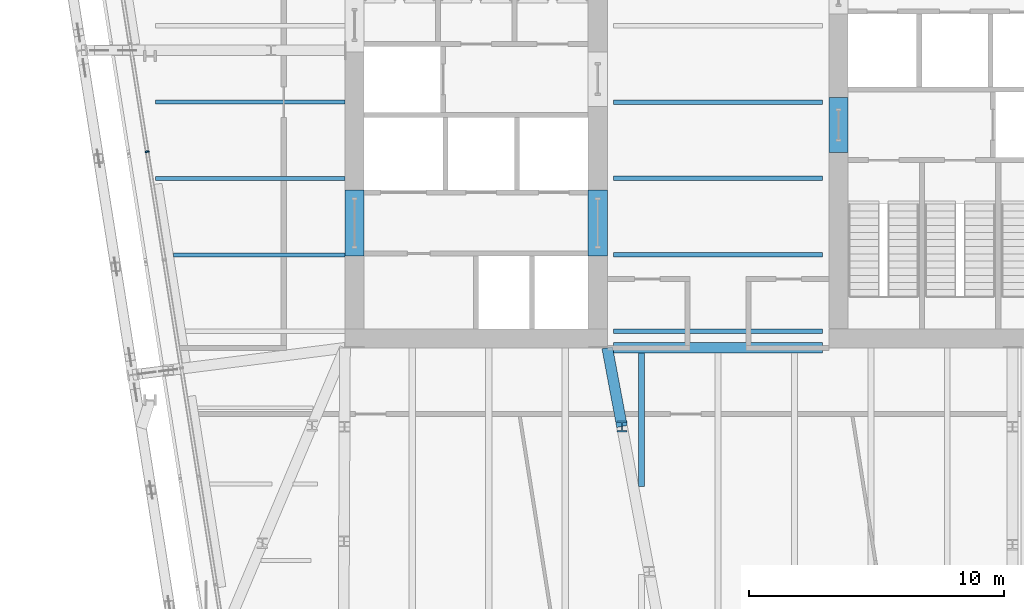
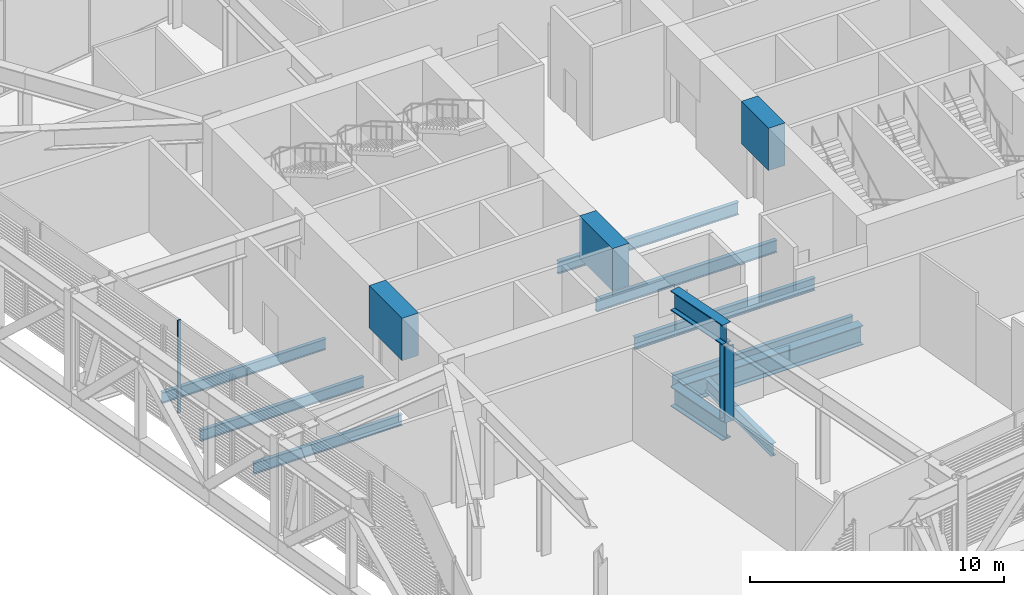
# One storey, part 6 of 32: 14 beams, 2 members, 1 element without a shape of its own.
"""IFC4 building model written with IfcOpenShell, lengths in metres."""

from ifc_helpers import new_model, si_unit, direction, frame, origin, origin_2d, place, context, subcontext, project, spatial, rectangle, i_section, extrude, material, layer, layer_set, material_profile, profile_set, type_object, element, aggregate, save


model = new_model("IFC4")

# Units and contexts
model_context = context("Model", 3, precision=1e-05, world=origin(), true_north=direction((0.0, 1.0)))
body_context = subcontext(model_context, "Body", "Model", "MODEL_VIEW")
ifc_project = project(units=[si_unit("LENGTHUNIT", "METRE"), si_unit("AREAUNIT", "SQUARE_METRE"), si_unit("VOLUMEUNIT", "CUBIC_METRE"), si_unit("PLANEANGLEUNIT", "RADIAN"), si_unit("MASSUNIT", "GRAM", prefix="KILO")], contexts=[model_context])

# Site, building, storey
site_placement = place(None, origin())
site = spatial("IfcSite", under=ifc_project, at=site_placement, CompositionType="ELEMENT")
building_placement = place(site_placement, origin())
building = spatial("IfcBuilding", under=site, at=building_placement, Name="Millrace Tower", CompositionType="ELEMENT")
storey_placement = place(building_placement, frame((0.0, 0.0, 124.89990234375)))
storey = spatial("IfcBuildingStorey", under=building, at=storey_placement, Name="L27", CompositionType="ELEMENT", Elevation=124.89990234375)

# Curtain wall, member
ifc_material_1 = material(Name="Aluminium and glass", Category="aluminium")
ifc_layer = layer(ifc_material_1, 0.14990234375)
ifc_layer_set = layer_set([ifc_layer], Name="Aluminium and glass")
curtain_wall_type = type_object("IfcCurtainWallType", Name="CW-5 truss and plant storey louvred infill", PredefinedType="NOTDEFINED", material=ifc_layer_set)
curtain_wall_placement = place(storey_placement, origin())
curtain_wall = element("IfcCurtainWall", 1, at=curtain_wall_placement, inside=storey, type_object=curtain_wall_type, Name="Curtain wall C-F08 L27", PredefinedType="NOTDEFINED")
ifc_material_2 = material(Name="Aluminium", Category="aluminium")
ifc_material_profile_1 = material_profile(ifc_material_2, rectangle(XDim=0.06494140625, YDim=0.14990234375, at=origin_2d()))
ifc_profile_set_1 = profile_set([ifc_material_profile_1], Name="Aluminium")
member_type_1 = type_object("IfcMemberType", Name="CW-5 truss and plant storey louvred infill mullion", PredefinedType="MULLION", material=ifc_profile_set_1)
member_1_placement = place(storey_placement, frame((-22.416015625, -1.946533203125, 0.14013671875), z_axis=(0.0, 0.0, 1.0), x_axis=(0.15643447328, -0.98768833929, 0.0)))
member_1 = element("IfcMember", 2, at=member_1_placement, type_object=member_type_1, Name="CW5 mullion C-F08.5", PredefinedType="MULLION", context=body_context, shape_type="SweptSolid", body=[
    extrude(rectangle(XDim=0.06494140625, YDim=0.14990234375, at=origin_2d()), origin(), (0.0, 0.0, 1.0), 4.4599609375),
])
aggregate(curtain_wall, [member_1])

# Beams
ifc_material_3 = material(Name="Concrete C70", Category="concrete")
ifc_material_profile_2 = material_profile(ifc_material_3, rectangle(XDim=0.75, YDim=2.0400390625, at=origin_2d()))
ifc_profile_set_2 = profile_set([ifc_material_profile_2], Name="Concrete C70")
beam_type_1 = type_object("IfcBeamType", Name="Coupling beam 750 x 2040 Concrete C70, 1300 opening", PredefinedType="BEAM", material=ifc_profile_set_2)
beam_1_placement = place(storey_placement, frame((4.72509765625, 0.1708984375, 3.420166015625), z_axis=(0.0, -1.0, 0.0), x_axis=(1.0, 0.0, 0.0)))
element("IfcBeam", 3, at=beam_1_placement, inside=storey, type_object=beam_type_1, Name="Coupling beam E L27", PredefinedType="BEAM", context=body_context, shape_type="SweptSolid", body=[
    extrude(rectangle(XDim=0.75, YDim=2.0400390625, at=origin_2d()), origin(), (0.0, 0.0, 1.0), 2.141845703125),
])
ifc_material_4 = material(Name="Concrete C70", Category="concrete")
ifc_material_profile_3 = material_profile(ifc_material_4, rectangle(XDim=0.75, YDim=2.0400390625, at=origin_2d()))
ifc_profile_set_3 = profile_set([ifc_material_profile_3], Name="Concrete C70")
beam_type_2 = type_object("IfcBeamType", Name="Coupling beam 750 x 2040 Concrete C70, 2000 opening", PredefinedType="BEAM", material=ifc_profile_set_3)
for number, where, z_axis, x_axis, name in (
    (4, (-14.27490234375, -6.050048828125, 3.420166015625), (0.0, 1.0, 0.0), (-1.0, 0.0, 0.0), "Coupling beam W L27"),
    (5, (-4.72509765625, -6.050048828125, 3.420166015625), (0.0, 1.0, 0.0), (-1.0, 0.0, 0.0), "Coupling beam W L27"),
):
    element("IfcBeam", number, at=place(storey_placement, frame(where, z_axis=z_axis, x_axis=x_axis)), inside=storey, type_object=beam_type_2, Name=name, PredefinedType="BEAM", context=body_context, shape_type="SweptSolid", body=[
        extrude(rectangle(XDim=0.75, YDim=2.0400390625, at=origin_2d()), origin(), (0.0, 0.0, 1.0), 2.60009765625),
    ])
ifc_material_5 = material(Name="Steel ASTM A992 Grade 50", Category="steel")
ifc_material_profile_4 = material_profile(ifc_material_5, i_section(OverallWidth=0.1650390625, OverallDepth=0.52587890625, WebThickness=0.0087890625, FlangeThickness=0.011474609375, FilletRadius=0.0126953125, at=origin_2d()))
ifc_profile_set_4 = profile_set([ifc_material_profile_4], Name="Steel ASTM A992 Grade 50")
beam_type_3 = type_object("IfcBeamType", Name="Floor beam W21x44", PredefinedType="JOIST", material=ifc_profile_set_4)
beam_2_placement = place(storey_placement, frame((-21.386962890625, -6.0, -0.4228515625), z_axis=(1.0, 0.0, 0.0), x_axis=(0.0, 1.0, 0.0)))
element("IfcBeam", 6, at=beam_2_placement, inside=storey, type_object=beam_type_3, Name="BM-C-L27-S1-S014", PredefinedType="JOIST", context=body_context, shape_type="SweptSolid", body=[
    extrude(i_section(OverallWidth=0.1650390625, OverallDepth=0.52587890625, WebThickness=0.0087890625, FlangeThickness=0.011474609375, FilletRadius=0.0126953125, at=origin_2d()), origin(), (0.0, 0.0, 1.0), 6.737060546875),
])
beam_3_placement = place(storey_placement, frame((-22.08203125, -3.0, -0.4228515625), z_axis=(1.0, 0.0, 0.0), x_axis=(0.0, 1.0, 0.0)))
element("IfcBeam", 7, at=beam_3_placement, inside=storey, type_object=beam_type_3, Name="BM-C-L27-S1-S017", PredefinedType="JOIST", context=body_context, shape_type="SweptSolid", body=[
    extrude(i_section(OverallWidth=0.1650390625, OverallDepth=0.52587890625, WebThickness=0.0087890625, FlangeThickness=0.011474609375, FilletRadius=0.0126953125, at=origin_2d()), origin(), (0.0, 0.0, 1.0), 7.43212890625),
])
beam_4_placement = place(storey_placement, frame((-22.083984375, 0.0, -0.4228515625), z_axis=(1.0, 0.0, 0.0), x_axis=(0.0, 1.0, 0.0)))
element("IfcBeam", 8, at=beam_4_placement, inside=storey, type_object=beam_type_3, Name="BM-C-L27-S1-S020", PredefinedType="JOIST", context=body_context, shape_type="SweptSolid", body=[
    extrude(i_section(OverallWidth=0.1650390625, OverallDepth=0.52587890625, WebThickness=0.0087890625, FlangeThickness=0.011474609375, FilletRadius=0.0126953125, at=origin_2d()), origin(), (0.0, 0.0, 1.0), 7.43408203125),
])
ifc_material_6 = material(Name="Steel ASTM A992 Grade 50", Category="steel")
ifc_material_profile_5 = material_profile(ifc_material_6, i_section(OverallWidth=0.177978515625, OverallDepth=0.599365234375, WebThickness=0.010009765625, FlangeThickness=0.012939453125, FilletRadius=0.012939453125, at=origin_2d()))
ifc_profile_set_5 = profile_set([ifc_material_profile_5], Name="Steel ASTM A992 Grade 50")
beam_type_4 = type_object("IfcBeamType", Name="Floor beam W24x55", PredefinedType="JOIST", material=ifc_profile_set_5)
for number, where, z_axis, x_axis, name in (
    (9, (-4.10009765625, -9.0, -0.459716796875), (1.0, 0.0, 0.0), (0.0, 1.0, 0.0), "BM-C-L27-S1-S010"),
    (10, (-4.10009765625, -6.0, -0.459716796875), (1.0, 0.0, 0.0), (0.0, 1.0, 0.0), "BM-C-L27-S1-S013"),
    (11, (-4.10009765625, -3.0, -0.459716796875), (1.0, 0.0, 0.0), (0.0, 1.0, 0.0), "BM-C-L27-S1-S016"),
    (12, (-4.10009765625, 0.0, -0.459716796875), (1.0, 0.0, 0.0), (0.0, 1.0, 0.0), "BM-C-L27-S1-S019"),
):
    element("IfcBeam", number, at=place(storey_placement, frame(where, z_axis=z_axis, x_axis=x_axis)), inside=storey, type_object=beam_type_4, Name=name, PredefinedType="JOIST", context=body_context, shape_type="SweptSolid", body=[
        extrude(i_section(OverallWidth=0.177978515625, OverallDepth=0.599365234375, WebThickness=0.010009765625, FlangeThickness=0.012939453125, FilletRadius=0.012939453125, at=origin_2d()), origin(), (0.0, 0.0, 1.0), 8.2001953125),
    ])
ifc_material_7 = material(Name="Steel ASTM A992 Grade 50", Category="steel")
ifc_material_profile_6 = material_profile(ifc_material_7, i_section(OverallWidth=0.228271484375, OverallDepth=0.607177734375, WebThickness=0.01123046875, FlangeThickness=0.017333984375, FilletRadius=0.0126953125, at=origin_2d()))
ifc_profile_set_6 = profile_set([ifc_material_profile_6], Name="Steel ASTM A992 Grade 50")
beam_type_5 = type_object("IfcBeamType", Name="Floor beam W24x76", PredefinedType="JOIST", material=ifc_profile_set_6)
beam_5_placement = place(storey_placement, frame((-3.0, -15.08544921875, -0.46337890625), z_axis=(0.0, 1.0, 0.0), x_axis=(-1.0, 0.0, 0.0)))
element("IfcBeam", 13, at=beam_5_placement, inside=storey, type_object=beam_type_5, Name="BM-C-L27-S1-S046-b", PredefinedType="JOIST", context=body_context, shape_type="SweptSolid", body=[
    extrude(i_section(OverallWidth=0.228271484375, OverallDepth=0.607177734375, WebThickness=0.01123046875, FlangeThickness=0.017333984375, FilletRadius=0.0126953125, at=origin_2d()), origin(), (0.0, 0.0, 1.0), 5.225830078125),
])
ifc_material_8 = material(Name="Steel ASTM A992 Grade 50", Category="steel")
ifc_material_profile_7 = material_profile(ifc_material_8, i_section(OverallWidth=0.419189453125, OverallDepth=0.927001953125, WebThickness=0.019287109375, FlangeThickness=0.031982421875, FilletRadius=0.024169921875, at=origin_2d()))
ifc_profile_set_7 = profile_set([ifc_material_profile_7], Name="Steel ASTM A992 Grade 50")
beam_type_6 = type_object("IfcBeamType", Name="Girder short span W36x231", PredefinedType="BEAM", material=ifc_profile_set_7)
beam_6_placement = place(storey_placement, frame((-4.10009765625, -9.64990234375, -0.62353515625), z_axis=(1.0, 0.0, 0.0), x_axis=(0.0, 1.0, 0.0)))
element("IfcBeam", 14, at=beam_6_placement, inside=storey, type_object=beam_type_6, Name="BM-C-L27-S1-G062", PredefinedType="BEAM", context=body_context, shape_type="SweptSolid", body=[
    extrude(i_section(OverallWidth=0.419189453125, OverallDepth=0.927001953125, WebThickness=0.019287109375, FlangeThickness=0.031982421875, FilletRadius=0.024169921875, at=origin_2d()), origin(), (0.0, 0.0, 1.0), 8.2001953125),
])

# Member
ifc_material_9 = material(Name="Steel ASTM A992 Grade 50", Category="steel")
ifc_material_profile_8 = material_profile(ifc_material_9, i_section(OverallWidth=0.406494140625, OverallDepth=0.41650390625, WebThickness=0.030029296875, FlangeThickness=0.048095703125, FilletRadius=0.01513671875, at=origin_2d()))
ifc_profile_set_8 = profile_set([ifc_material_profile_8], Name="Steel ASTM A992 Grade 50")
member_type_2 = type_object("IfcMemberType", Name="Transfer truss Vierendeel moment post W14x257", PredefinedType="POST", material=ifc_profile_set_8)
member_2_placement = place(storey_placement, frame((-3.771240234375, -12.736328125, -0.159912109375), z_axis=(0.0, 0.0, 1.0), x_axis=(1.0, 0.0, 0.0)))
element("IfcMember", 15, at=member_2_placement, inside=storey, type_object=member_type_2, Name="TRS-L27-C03-V03", PredefinedType="POST", context=body_context, shape_type="SweptSolid", body=[
    extrude(i_section(OverallWidth=0.406494140625, OverallDepth=0.41650390625, WebThickness=0.030029296875, FlangeThickness=0.048095703125, FilletRadius=0.01513671875, at=origin_2d()), origin(), (0.0, 0.0, 1.0), 3.642333984375),
])

# Beams
ifc_material_10 = material(Name="Steel ASTM A992 Grade 50", Category="steel")
ifc_material_profile_9 = material_profile(ifc_material_10, i_section(OverallWidth=0.421630859375, OverallDepth=0.95751953125, WebThickness=0.02587890625, FlangeThickness=0.046875, FilletRadius=0.024169921875, at=origin_2d()))
ifc_profile_set_9 = profile_set([ifc_material_profile_9], Name="Steel ASTM A992 Grade 50")
beam_type_7 = type_object("IfcBeamType", Name="Transfer truss chord W36x330", PredefinedType="BEAM", material=ifc_profile_set_9)
for number, where, z_axis, x_axis, name in (
    (16, (-3.771240234375, -12.736328125, -0.638671875), (-0.184335475747, 0.982863384393, 0.0), (-0.982863384393, -0.184335475747, 0.0), "TRS-L27-C03-B04"),
    (17, (-3.771240234375, -12.736328125, 3.96142578125), (-0.184335475747, 0.982863384393, 0.0), (-0.982863384393, -0.184335475747, 0.0), "TRS-L27-C03-T04"),
):
    element("IfcBeam", number, at=place(storey_placement, frame(where, z_axis=z_axis, x_axis=x_axis)), inside=storey, type_object=beam_type_7, Name=name, PredefinedType="BEAM", context=body_context, shape_type="SweptSolid", body=[
        extrude(i_section(OverallWidth=0.421630859375, OverallDepth=0.95751953125, WebThickness=0.02587890625, FlangeThickness=0.046875, FilletRadius=0.024169921875, at=origin_2d()), origin(), (0.0, 0.0, 1.0), 3.14013671875),
    ])

save(model, "model.ifc")
